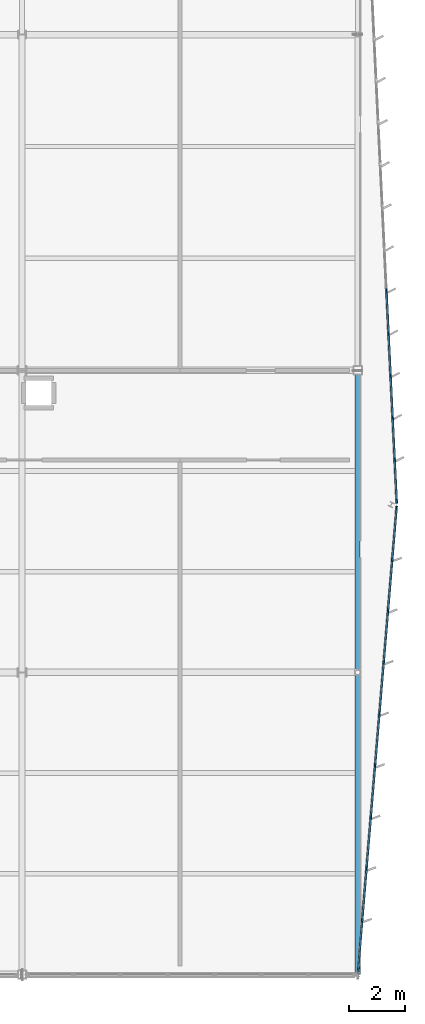
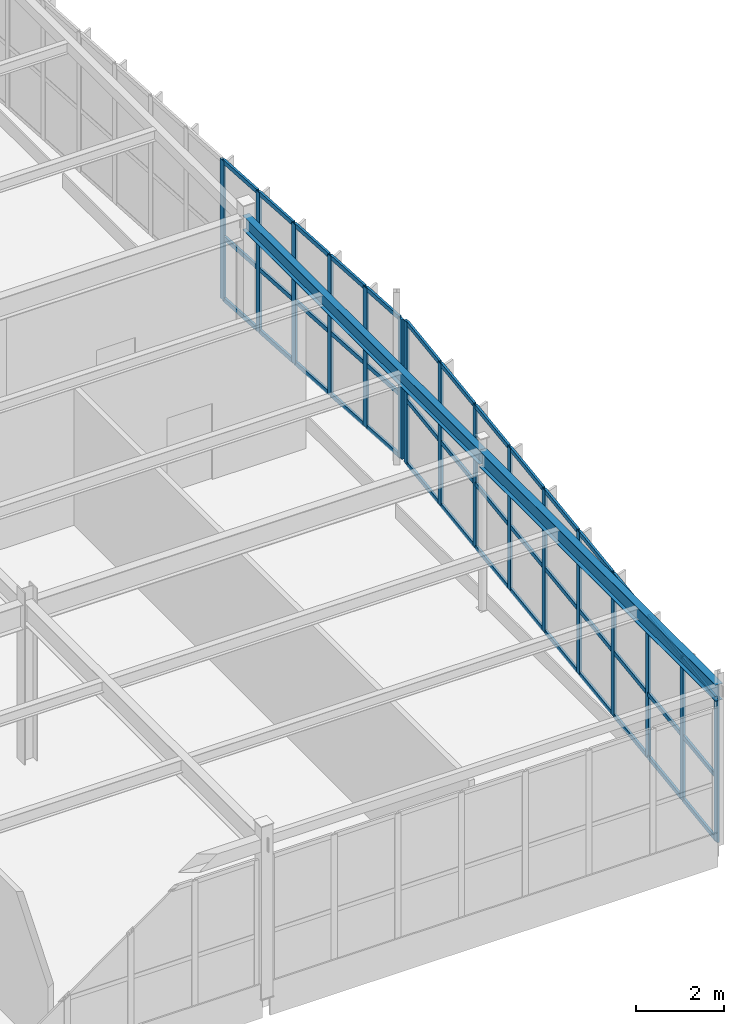
# One storey, part 97 of 186: 58 members, 2 beams, 2 elements without a shape of their own.
"""IFC4 building model written with IfcOpenShell, lengths in metres."""

from ifc_helpers import new_model, si_unit, direction, frame, origin, origin_2d, place, context, subcontext, project, spatial, rectangle, i_section, extrude, material, layer, layer_set, material_profile, profile_set, type_object, element, aggregate, save


model = new_model("IFC4")

# Units and contexts
model_context = context("Model", 3, precision=1e-05, world=origin(), true_north=direction((0.0, 1.0)))
body_context = subcontext(model_context, "Body", "Model", "MODEL_VIEW")
ifc_project = project(units=[si_unit("LENGTHUNIT", "METRE"), si_unit("AREAUNIT", "SQUARE_METRE"), si_unit("VOLUMEUNIT", "CUBIC_METRE"), si_unit("PLANEANGLEUNIT", "RADIAN"), si_unit("MASSUNIT", "GRAM", prefix="KILO")], contexts=[model_context])

# Site, building, storey
site_placement = place(None, origin())
site = spatial("IfcSite", under=ifc_project, at=site_placement, CompositionType="ELEMENT")
building_placement = place(site_placement, origin())
building = spatial("IfcBuilding", under=site, at=building_placement, Name="Tarnwether General Hospital", CompositionType="ELEMENT")
storey_placement = place(building_placement, frame((0.0, 0.0, 9.60009765625)))
storey = spatial("IfcBuildingStorey", under=building, at=storey_placement, Name="L02", CompositionType="ELEMENT", Elevation=9.60009765625)

# Beams
ifc_material_1 = material(Name="Steel Grade 350 (350 MPa)", Category="steel")
ifc_material_profile_1 = material_profile(ifc_material_1, i_section(OverallWidth=0.18994140625, OverallDepth=0.4541015625, WebThickness=0.008544921875, FlangeThickness=0.0126953125, at=origin_2d()), Name="460UB67.1")
ifc_profile_set_1 = profile_set([ifc_material_profile_1], Name="Steel Grade 350 (350 MPa)")
beam_type_1 = type_object("IfcBeamType", Name="BM-SP1", PredefinedType="SPANDREL", material=ifc_profile_set_1)
beam_1_placement = place(storey_placement, frame((192.0, 0.0, 4.212890625), z_axis=(0.0, 1.0, 0.0), x_axis=(-1.0, 0.0, 0.0)))
element("IfcBeam", 1, at=beam_1_placement, inside=storey, type_object=beam_type_1, Name="Primary Girder BMG-L02-19200_0-19200_1080-1640", PredefinedType="SPANDREL", context=body_context, shape_type="SweptSolid", body=[
    extrude(i_section(OverallWidth=0.18994140625, OverallDepth=0.4541015625, WebThickness=0.008544921875, FlangeThickness=0.0126953125, at=origin_2d()), origin(), (0.0, 0.0, 1.0), 10.800048828125),
])
ifc_material_2 = material(Name="Steel Grade 350 (350 MPa)", Category="steel")
ifc_material_profile_2 = material_profile(ifc_material_2, i_section(OverallWidth=0.177978515625, OverallDepth=0.403076171875, WebThickness=0.007568359375, FlangeThickness=0.010986328125, at=origin_2d()), Name="410UB53.7")
ifc_profile_set_2 = profile_set([ifc_material_profile_2], Name="Steel Grade 350 (350 MPa)")
beam_type_2 = type_object("IfcBeamType", Name="BM-SP2", PredefinedType="SPANDREL", material=ifc_profile_set_2)
beam_2_placement = place(storey_placement, frame((192.0, 10.800048828125, 4.23828125), z_axis=(0.0, 1.0, 0.0), x_axis=(-1.0, 0.0, 0.0)))
element("IfcBeam", 2, at=beam_2_placement, inside=storey, type_object=beam_type_2, Name="Primary Girder BMG-L02-19200_1080-19200_2160-1641", PredefinedType="SPANDREL", context=body_context, shape_type="SweptSolid", body=[
    extrude(i_section(OverallWidth=0.177978515625, OverallDepth=0.403076171875, WebThickness=0.007568359375, FlangeThickness=0.010986328125, at=origin_2d()), origin(), (0.0, 0.0, 1.0), 10.800048828125),
])

# Curtain wall, members
ifc_material_3 = material(Name="Anodised aluminium", Category="aluminium")
ifc_layer_1 = layer(ifc_material_3, 0.159912109375)
ifc_layer_set_1 = layer_set([ifc_layer_1], Name="Anodised aluminium")
curtain_wall_type_1 = type_object("IfcCurtainWallType", Name="CW-18", PredefinedType="NOTDEFINED", material=ifc_layer_set_1)
curtain_wall_1_placement = place(storey_placement, origin())
curtain_wall_1 = element("IfcCurtainWall", 3, at=curtain_wall_1_placement, inside=storey, type_object=curtain_wall_type_1, Name="Curtain Wall CWG-L02-1920_455-0460", PredefinedType="NOTDEFINED")
ifc_material_4 = material(Name="Anodised aluminium", Category="aluminium")
ifc_material_profile_3 = material_profile(ifc_material_4, rectangle(XDim=0.06005859375, YDim=0.159912109375, at=origin_2d()), Name="ALU-MUL-60x160")
ifc_profile_set_3 = profile_set([ifc_material_profile_3], Name="Anodised aluminium")
member_type_1 = type_object("IfcMemberType", Name="CW-ML1", PredefinedType="MULLION", material=ifc_profile_set_3)
member_1_placement = place(storey_placement, frame((193.029052734375, 24.43115234375, 0.0), z_axis=(0.0, 0.0, 1.0), x_axis=(0.998820252343, 0.048560307958, 0.0)))
member_1 = element("IfcMember", 4, at=member_1_placement, type_object=member_type_1, Name="CW-18 mullion 15", PredefinedType="MULLION", context=body_context, shape_type="SweptSolid", body=[
    extrude(rectangle(XDim=0.06005859375, YDim=0.159912109375, at=origin_2d()), origin(), (0.0, 0.0, 1.0), 3.891845703125),
])
member_2_placement = place(storey_placement, frame((193.10205078125, 22.92529296875, 0.0), z_axis=(0.0, 0.0, 1.0), x_axis=(0.998820252343, 0.048560307958, 0.0)))
member_2 = element("IfcMember", 5, at=member_2_placement, type_object=member_type_1, Name="CW-18 mullion 16", PredefinedType="MULLION", context=body_context, shape_type="SweptSolid", body=[
    extrude(rectangle(XDim=0.06005859375, YDim=0.159912109375, at=origin_2d()), origin(), (0.0, 0.0, 1.0), 3.891845703125),
])
member_3_placement = place(storey_placement, frame((193.17529296875, 21.41943359375, 0.0), z_axis=(0.0, 0.0, 1.0), x_axis=(0.998820252343, 0.048560307958, 0.0)))
member_3 = element("IfcMember", 6, at=member_3_placement, type_object=member_type_1, Name="CW-18 mullion 17", PredefinedType="MULLION", context=body_context, shape_type="SweptSolid", body=[
    extrude(rectangle(XDim=0.06005859375, YDim=0.159912109375, at=origin_2d()), origin(), (0.0, 0.0, 1.0), 3.891845703125),
])
member_4_placement = place(storey_placement, frame((193.24853515625, 19.91357421875, 0.0), z_axis=(0.0, 0.0, 1.0), x_axis=(0.998820252343, 0.048560307958, 0.0)))
member_4 = element("IfcMember", 7, at=member_4_placement, type_object=member_type_1, Name="CW-18 mullion 18", PredefinedType="MULLION", context=body_context, shape_type="SweptSolid", body=[
    extrude(rectangle(XDim=0.06005859375, YDim=0.159912109375, at=origin_2d()), origin(), (0.0, 0.0, 1.0), 3.891845703125),
])
member_5_placement = place(storey_placement, frame((193.32177734375, 18.407958984375, 0.0), z_axis=(0.0, 0.0, 1.0), x_axis=(0.998820252343, 0.048560307958, 0.0)))
member_5 = element("IfcMember", 8, at=member_5_placement, type_object=member_type_1, Name="CW-18 mullion 19", PredefinedType="MULLION", context=body_context, shape_type="SweptSolid", body=[
    extrude(rectangle(XDim=0.06005859375, YDim=0.159912109375, at=origin_2d()), origin(), (0.0, 0.0, 1.0), 3.891845703125),
])
member_6_placement = place(storey_placement, frame((193.3935546875, 16.931884765625, 0.0), z_axis=(0.0, 0.0, 1.0), x_axis=(0.998820252343, 0.048560307958, 0.0)))
member_6 = element("IfcMember", 9, at=member_6_placement, type_object=member_type_1, Name="CW-18 mullion 20", PredefinedType="MULLION", context=body_context, shape_type="SweptSolid", body=[
    extrude(rectangle(XDim=0.06005859375, YDim=0.159912109375, at=origin_2d()), origin(), (0.0, 0.0, 1.0), 3.891845703125),
])

ifc_material_5 = material(Name="Anodised aluminium", Category="aluminium")
ifc_layer_2 = layer(ifc_material_5, 0.159912109375)
ifc_layer_set_2 = layer_set([ifc_layer_2], Name="Anodised aluminium")
curtain_wall_type_2 = type_object("IfcCurtainWallType", Name="CW-19", PredefinedType="NOTDEFINED", material=ifc_layer_set_2)
curtain_wall_2_placement = place(storey_placement, origin())
curtain_wall_2 = element("IfcCurtainWall", 10, at=curtain_wall_2_placement, inside=storey, type_object=curtain_wall_type_2, Name="Curtain Wall CWG-L02-1934_167-0461", PredefinedType="NOTDEFINED")
member_7_placement = place(storey_placement, frame((193.388427734375, 16.6591796875, 0.0), z_axis=(0.0, 0.0, 1.0), x_axis=(0.996544929857, -0.083055419904, 0.0)))
member_7 = element("IfcMember", 11, at=member_7_placement, type_object=member_type_1, Name="CW-19 mullion 1", PredefinedType="MULLION", context=body_context, shape_type="SweptSolid", body=[
    extrude(rectangle(XDim=0.06005859375, YDim=0.159912109375, at=origin_2d()), origin(), (0.0, 0.0, 1.0), 3.970947265625),
])
member_8_placement = place(storey_placement, frame((193.2373046875, 14.84521484375, 0.0), z_axis=(0.0, 0.0, 1.0), x_axis=(0.996544929857, -0.083055419904, 0.0)))
member_8 = element("IfcMember", 12, at=member_8_placement, type_object=member_type_1, Name="CW-19 mullion 2", PredefinedType="MULLION", context=body_context, shape_type="SweptSolid", body=[
    extrude(rectangle(XDim=0.06005859375, YDim=0.159912109375, at=origin_2d()), origin(), (0.0, 0.0, 1.0), 3.970947265625),
])
member_9_placement = place(storey_placement, frame((193.083740234375, 13.00146484375, 0.0), z_axis=(0.0, 0.0, 1.0), x_axis=(0.996544929857, -0.083055419904, 0.0)))
member_9 = element("IfcMember", 13, at=member_9_placement, type_object=member_type_1, Name="CW-19 mullion 3", PredefinedType="MULLION", context=body_context, shape_type="SweptSolid", body=[
    extrude(rectangle(XDim=0.06005859375, YDim=0.159912109375, at=origin_2d()), origin(), (0.0, 0.0, 1.0), 3.970947265625),
])
member_10_placement = place(storey_placement, frame((192.929931640625, 11.15771484375, 0.0), z_axis=(0.0, 0.0, 1.0), x_axis=(0.996544929857, -0.083055419904, 0.0)))
member_10 = element("IfcMember", 14, at=member_10_placement, type_object=member_type_1, Name="CW-19 mullion 4", PredefinedType="MULLION", context=body_context, shape_type="SweptSolid", body=[
    extrude(rectangle(XDim=0.06005859375, YDim=0.159912109375, at=origin_2d()), origin(), (0.0, 0.0, 1.0), 3.970947265625),
])
member_11_placement = place(storey_placement, frame((192.7763671875, 9.31396484375, 0.0), z_axis=(0.0, 0.0, 1.0), x_axis=(0.996544929857, -0.083055419904, 0.0)))
member_11 = element("IfcMember", 15, at=member_11_placement, type_object=member_type_1, Name="CW-19 mullion 5", PredefinedType="MULLION", context=body_context, shape_type="SweptSolid", body=[
    extrude(rectangle(XDim=0.06005859375, YDim=0.159912109375, at=origin_2d()), origin(), (0.0, 0.0, 1.0), 3.970947265625),
])
member_12_placement = place(storey_placement, frame((192.62255859375, 7.47021484375, 0.0), z_axis=(0.0, 0.0, 1.0), x_axis=(0.996544929857, -0.083055419904, 0.0)))
member_12 = element("IfcMember", 16, at=member_12_placement, type_object=member_type_1, Name="CW-19 mullion 6", PredefinedType="MULLION", context=body_context, shape_type="SweptSolid", body=[
    extrude(rectangle(XDim=0.06005859375, YDim=0.159912109375, at=origin_2d()), origin(), (0.0, 0.0, 1.0), 3.970947265625),
])
member_13_placement = place(storey_placement, frame((192.468994140625, 5.626220703125, 0.0), z_axis=(0.0, 0.0, 1.0), x_axis=(0.996544929857, -0.083055419904, 0.0)))
member_13 = element("IfcMember", 17, at=member_13_placement, type_object=member_type_1, Name="CW-19 mullion 7", PredefinedType="MULLION", context=body_context, shape_type="SweptSolid", body=[
    extrude(rectangle(XDim=0.06005859375, YDim=0.159912109375, at=origin_2d()), origin(), (0.0, 0.0, 1.0), 3.970947265625),
])
member_14_placement = place(storey_placement, frame((192.3154296875, 3.782470703125, 0.0), z_axis=(0.0, 0.0, 1.0), x_axis=(0.996544929857, -0.083055419904, 0.0)))
member_14 = element("IfcMember", 18, at=member_14_placement, type_object=member_type_1, Name="CW-19 mullion 8", PredefinedType="MULLION", context=body_context, shape_type="SweptSolid", body=[
    extrude(rectangle(XDim=0.06005859375, YDim=0.159912109375, at=origin_2d()), origin(), (0.0, 0.0, 1.0), 3.970947265625),
])
member_15_placement = place(storey_placement, frame((192.16162109375, 1.938720703125, 0.0), z_axis=(0.0, 0.0, 1.0), x_axis=(0.996544929857, -0.083055419904, 0.0)))
member_15 = element("IfcMember", 19, at=member_15_placement, type_object=member_type_1, Name="CW-19 mullion 9", PredefinedType="MULLION", context=body_context, shape_type="SweptSolid", body=[
    extrude(rectangle(XDim=0.06005859375, YDim=0.159912109375, at=origin_2d()), origin(), (0.0, 0.0, 1.0), 3.970947265625),
])
member_16_placement = place(storey_placement, frame((192.010498046875, 0.125, 0.0), z_axis=(0.0, 0.0, 1.0), x_axis=(0.996544929857, -0.083055419904, 0.0)))
member_16 = element("IfcMember", 20, at=member_16_placement, type_object=member_type_1, Name="CW-19 mullion 10", PredefinedType="MULLION", context=body_context, shape_type="SweptSolid", body=[
    extrude(rectangle(XDim=0.06005859375, YDim=0.159912109375, at=origin_2d()), origin(), (0.0, 0.0, 1.0), 3.970947265625),
])

# Member
ifc_material_6 = material(Name="Anodised aluminium", Category="aluminium")
ifc_material_profile_4 = material_profile(ifc_material_6, rectangle(XDim=0.06005859375, YDim=0.1201171875, at=origin_2d()), Name="ALU-TRN-60x120")
ifc_profile_set_4 = profile_set([ifc_material_profile_4], Name="Anodised aluminium")
member_type_2 = type_object("IfcMemberType", Name="CW-TR1", PredefinedType="USERDEFINED", material=ifc_profile_set_4)
member_17_placement = place(storey_placement, frame((193.030517578125, 24.4013671875, 0.02978515625), z_axis=(0.048398390667, -0.998828111229, 0.0), x_axis=(0.998828111229, 0.048398390667, 0.0)))
member_17 = element("IfcMember", 21, at=member_17_placement, type_object=member_type_2, Name="CW-18 transom 15.1", ObjectType="TRANSOM", PredefinedType="USERDEFINED", context=body_context, shape_type="SweptSolid", body=[
    extrude(rectangle(XDim=0.06005859375, YDim=0.1201171875, at=origin_2d()), origin(), (0.0, 0.0, 1.0), 1.44775390625),
])

member_18_placement = place(storey_placement, frame((193.030517578125, 24.4013671875, 1.751220703125), z_axis=(0.048398390667, -0.998828111229, 0.0), x_axis=(0.998828111229, 0.048398390667, 0.0)))
member_18 = element("IfcMember", 22, at=member_18_placement, type_object=member_type_2, Name="CW-18 transom 15.2", ObjectType="TRANSOM", PredefinedType="USERDEFINED", context=body_context, shape_type="SweptSolid", body=[
    extrude(rectangle(XDim=0.06005859375, YDim=0.1201171875, at=origin_2d()), origin(), (0.0, 0.0, 1.0), 1.44775390625),
])

member_19_placement = place(storey_placement, frame((193.030517578125, 24.4013671875, 3.86181640625), z_axis=(0.048398390667, -0.998828111229, 0.0), x_axis=(0.998828111229, 0.048398390667, 0.0)))
member_19 = element("IfcMember", 23, at=member_19_placement, type_object=member_type_2, Name="CW-18 transom 15.3", ObjectType="TRANSOM", PredefinedType="USERDEFINED", context=body_context, shape_type="SweptSolid", body=[
    extrude(rectangle(XDim=0.06005859375, YDim=0.1201171875, at=origin_2d()), origin(), (0.0, 0.0, 1.0), 1.44775390625),
])

member_20_placement = place(storey_placement, frame((193.103515625, 22.8955078125, 0.02978515625), z_axis=(0.0485666291, -0.998819945004, 0.0), x_axis=(0.998819945004, 0.0485666291, 0.0)))
member_20 = element("IfcMember", 24, at=member_20_placement, type_object=member_type_2, Name="CW-18 transom 16.1", ObjectType="TRANSOM", PredefinedType="USERDEFINED", context=body_context, shape_type="SweptSolid", body=[
    extrude(rectangle(XDim=0.06005859375, YDim=0.1201171875, at=origin_2d()), origin(), (0.0, 0.0, 1.0), 1.44775390625),
])

member_21_placement = place(storey_placement, frame((193.103515625, 22.8955078125, 1.751220703125), z_axis=(0.0485666291, -0.998819945004, 0.0), x_axis=(0.998819945004, 0.0485666291, 0.0)))
member_21 = element("IfcMember", 25, at=member_21_placement, type_object=member_type_2, Name="CW-18 transom 16.2", ObjectType="TRANSOM", PredefinedType="USERDEFINED", context=body_context, shape_type="SweptSolid", body=[
    extrude(rectangle(XDim=0.06005859375, YDim=0.1201171875, at=origin_2d()), origin(), (0.0, 0.0, 1.0), 1.44775390625),
])

member_22_placement = place(storey_placement, frame((193.103515625, 22.8955078125, 3.86181640625), z_axis=(0.0485666291, -0.998819945004, 0.0), x_axis=(0.998819945004, 0.0485666291, 0.0)))
member_22 = element("IfcMember", 26, at=member_22_placement, type_object=member_type_2, Name="CW-18 transom 16.3", ObjectType="TRANSOM", PredefinedType="USERDEFINED", context=body_context, shape_type="SweptSolid", body=[
    extrude(rectangle(XDim=0.06005859375, YDim=0.1201171875, at=origin_2d()), origin(), (0.0, 0.0, 1.0), 1.44775390625),
])

member_23_placement = place(storey_placement, frame((193.1767578125, 21.3896484375, 0.02978515625), z_axis=(0.0485666291, -0.998819945004, 0.0), x_axis=(0.998819945004, 0.0485666291, 0.0)))
member_23 = element("IfcMember", 27, at=member_23_placement, type_object=member_type_2, Name="CW-18 transom 17.1", ObjectType="TRANSOM", PredefinedType="USERDEFINED", context=body_context, shape_type="SweptSolid", body=[
    extrude(rectangle(XDim=0.06005859375, YDim=0.1201171875, at=origin_2d()), origin(), (0.0, 0.0, 1.0), 1.44775390625),
])

member_24_placement = place(storey_placement, frame((193.1767578125, 21.3896484375, 1.751220703125), z_axis=(0.0485666291, -0.998819945004, 0.0), x_axis=(0.998819945004, 0.0485666291, 0.0)))
member_24 = element("IfcMember", 28, at=member_24_placement, type_object=member_type_2, Name="CW-18 transom 17.2", ObjectType="TRANSOM", PredefinedType="USERDEFINED", context=body_context, shape_type="SweptSolid", body=[
    extrude(rectangle(XDim=0.06005859375, YDim=0.1201171875, at=origin_2d()), origin(), (0.0, 0.0, 1.0), 1.44775390625),
])

member_25_placement = place(storey_placement, frame((193.1767578125, 21.3896484375, 3.86181640625), z_axis=(0.0485666291, -0.998819945004, 0.0), x_axis=(0.998819945004, 0.0485666291, 0.0)))
member_25 = element("IfcMember", 29, at=member_25_placement, type_object=member_type_2, Name="CW-18 transom 17.3", ObjectType="TRANSOM", PredefinedType="USERDEFINED", context=body_context, shape_type="SweptSolid", body=[
    extrude(rectangle(XDim=0.06005859375, YDim=0.1201171875, at=origin_2d()), origin(), (0.0, 0.0, 1.0), 1.44775390625),
])

member_26_placement = place(storey_placement, frame((193.25, 19.8837890625, 0.02978515625), z_axis=(0.0485666291, -0.998819945004, 0.0), x_axis=(0.998819945004, 0.0485666291, 0.0)))
member_26 = element("IfcMember", 30, at=member_26_placement, type_object=member_type_2, Name="CW-18 transom 18.1", ObjectType="TRANSOM", PredefinedType="USERDEFINED", context=body_context, shape_type="SweptSolid", body=[
    extrude(rectangle(XDim=0.06005859375, YDim=0.1201171875, at=origin_2d()), origin(), (0.0, 0.0, 1.0), 1.44775390625),
])

member_27_placement = place(storey_placement, frame((193.25, 19.8837890625, 1.751220703125), z_axis=(0.0485666291, -0.998819945004, 0.0), x_axis=(0.998819945004, 0.0485666291, 0.0)))
member_27 = element("IfcMember", 31, at=member_27_placement, type_object=member_type_2, Name="CW-18 transom 18.2", ObjectType="TRANSOM", PredefinedType="USERDEFINED", context=body_context, shape_type="SweptSolid", body=[
    extrude(rectangle(XDim=0.06005859375, YDim=0.1201171875, at=origin_2d()), origin(), (0.0, 0.0, 1.0), 1.44775390625),
])

member_28_placement = place(storey_placement, frame((193.25, 19.8837890625, 3.86181640625), z_axis=(0.0485666291, -0.998819945004, 0.0), x_axis=(0.998819945004, 0.0485666291, 0.0)))
member_28 = element("IfcMember", 32, at=member_28_placement, type_object=member_type_2, Name="CW-18 transom 18.3", ObjectType="TRANSOM", PredefinedType="USERDEFINED", context=body_context, shape_type="SweptSolid", body=[
    extrude(rectangle(XDim=0.06005859375, YDim=0.1201171875, at=origin_2d()), origin(), (0.0, 0.0, 1.0), 1.44775390625),
])

member_29_placement = place(storey_placement, frame((193.3232421875, 18.3779296875, 0.02978515625), z_axis=(0.048563322385, -0.998820105784, 0.0), x_axis=(0.998820105784, 0.048563322385, 0.0)))
member_29 = element("IfcMember", 33, at=member_29_placement, type_object=member_type_2, Name="CW-18 transom 19.1", ObjectType="TRANSOM", PredefinedType="USERDEFINED", context=body_context, shape_type="SweptSolid", body=[
    extrude(rectangle(XDim=0.06005859375, YDim=0.1201171875, at=origin_2d()), origin(), (0.0, 0.0, 1.0), 1.417724609375),
])

member_30_placement = place(storey_placement, frame((193.3232421875, 18.3779296875, 1.751220703125), z_axis=(0.048563322385, -0.998820105784, 0.0), x_axis=(0.998820105784, 0.048563322385, 0.0)))
member_30 = element("IfcMember", 34, at=member_30_placement, type_object=member_type_2, Name="CW-18 transom 19.2", ObjectType="TRANSOM", PredefinedType="USERDEFINED", context=body_context, shape_type="SweptSolid", body=[
    extrude(rectangle(XDim=0.06005859375, YDim=0.1201171875, at=origin_2d()), origin(), (0.0, 0.0, 1.0), 1.417724609375),
])

member_31_placement = place(storey_placement, frame((193.3232421875, 18.3779296875, 3.86181640625), z_axis=(0.048563322385, -0.998820105784, 0.0), x_axis=(0.998820105784, 0.048563322385, 0.0)))
member_31 = element("IfcMember", 35, at=member_31_placement, type_object=member_type_2, Name="CW-18 transom 19.3", ObjectType="TRANSOM", PredefinedType="USERDEFINED", context=body_context, shape_type="SweptSolid", body=[
    extrude(rectangle(XDim=0.06005859375, YDim=0.1201171875, at=origin_2d()), origin(), (0.0, 0.0, 1.0), 1.417724609375),
])

aggregate(curtain_wall_1, [member_1, member_2, member_3, member_4, member_5, member_6, member_17, member_18, member_19, member_20, member_21, member_22, member_23, member_24, member_25, member_26, member_27, member_28, member_29, member_30, member_31])

member_32_placement = place(storey_placement, frame((193.385986328125, 16.629150390625, 0.02978515625), z_axis=(-0.083079915092, -0.996542888043, 0.0), x_axis=(0.996542888043, -0.083079915092, 0.0)))
member_32 = element("IfcMember", 36, at=member_32_placement, type_object=member_type_2, Name="CW-19 transom 1.1", ObjectType="TRANSOM", PredefinedType="USERDEFINED", context=body_context, shape_type="SweptSolid", body=[
    extrude(rectangle(XDim=0.06005859375, YDim=0.1201171875, at=origin_2d()), origin(), (0.0, 0.0, 1.0), 1.76025390625),
])

member_33_placement = place(storey_placement, frame((193.385986328125, 16.629150390625, 1.786865234375), z_axis=(-0.083079915092, -0.996542888043, 0.0), x_axis=(0.996542888043, -0.083079915092, 0.0)))
member_33 = element("IfcMember", 37, at=member_33_placement, type_object=member_type_2, Name="CW-19 transom 1.2", ObjectType="TRANSOM", PredefinedType="USERDEFINED", context=body_context, shape_type="SweptSolid", body=[
    extrude(rectangle(XDim=0.06005859375, YDim=0.1201171875, at=origin_2d()), origin(), (0.0, 0.0, 1.0), 1.76025390625),
])

member_34_placement = place(storey_placement, frame((193.385986328125, 16.629150390625, 3.94091796875), z_axis=(-0.083079915092, -0.996542888043, 0.0), x_axis=(0.996542888043, -0.083079915092, 0.0)))
member_34 = element("IfcMember", 38, at=member_34_placement, type_object=member_type_2, Name="CW-19 transom 1.3", ObjectType="TRANSOM", PredefinedType="USERDEFINED", context=body_context, shape_type="SweptSolid", body=[
    extrude(rectangle(XDim=0.06005859375, YDim=0.1201171875, at=origin_2d()), origin(), (0.0, 0.0, 1.0), 1.76025390625),
])

member_35_placement = place(storey_placement, frame((193.23486328125, 14.8154296875, 0.02978515625), z_axis=(-0.083045479854, -0.996545758245, 0.0), x_axis=(0.996545758245, -0.083045479854, 0.0)))
member_35 = element("IfcMember", 39, at=member_35_placement, type_object=member_type_2, Name="CW-19 transom 2.1", ObjectType="TRANSOM", PredefinedType="USERDEFINED", context=body_context, shape_type="SweptSolid", body=[
    extrude(rectangle(XDim=0.06005859375, YDim=0.1201171875, at=origin_2d()), origin(), (0.0, 0.0, 1.0), 1.790283203125),
])

member_36_placement = place(storey_placement, frame((193.23486328125, 14.8154296875, 1.786865234375), z_axis=(-0.083045479854, -0.996545758245, 0.0), x_axis=(0.996545758245, -0.083045479854, 0.0)))
member_36 = element("IfcMember", 40, at=member_36_placement, type_object=member_type_2, Name="CW-19 transom 2.2", ObjectType="TRANSOM", PredefinedType="USERDEFINED", context=body_context, shape_type="SweptSolid", body=[
    extrude(rectangle(XDim=0.06005859375, YDim=0.1201171875, at=origin_2d()), origin(), (0.0, 0.0, 1.0), 1.790283203125),
])

member_37_placement = place(storey_placement, frame((193.23486328125, 14.8154296875, 3.94091796875), z_axis=(-0.083045479854, -0.996545758245, 0.0), x_axis=(0.996545758245, -0.083045479854, 0.0)))
member_37 = element("IfcMember", 41, at=member_37_placement, type_object=member_type_2, Name="CW-19 transom 2.3", ObjectType="TRANSOM", PredefinedType="USERDEFINED", context=body_context, shape_type="SweptSolid", body=[
    extrude(rectangle(XDim=0.06005859375, YDim=0.1201171875, at=origin_2d()), origin(), (0.0, 0.0, 1.0), 1.790283203125),
])

member_38_placement = place(storey_placement, frame((193.0810546875, 12.971435546875, 0.02978515625), z_axis=(-0.083056766652, -0.996544817614, 0.0), x_axis=(0.996544817614, -0.083056766652, 0.0)))
member_38 = element("IfcMember", 42, at=member_38_placement, type_object=member_type_2, Name="CW-19 transom 3.1", ObjectType="TRANSOM", PredefinedType="USERDEFINED", context=body_context, shape_type="SweptSolid", body=[
    extrude(rectangle(XDim=0.06005859375, YDim=0.1201171875, at=origin_2d()), origin(), (0.0, 0.0, 1.0), 1.7900390625),
])

member_39_placement = place(storey_placement, frame((193.0810546875, 12.971435546875, 1.786865234375), z_axis=(-0.083056766652, -0.996544817614, 0.0), x_axis=(0.996544817614, -0.083056766652, 0.0)))
member_39 = element("IfcMember", 43, at=member_39_placement, type_object=member_type_2, Name="CW-19 transom 3.2", ObjectType="TRANSOM", PredefinedType="USERDEFINED", context=body_context, shape_type="SweptSolid", body=[
    extrude(rectangle(XDim=0.06005859375, YDim=0.1201171875, at=origin_2d()), origin(), (0.0, 0.0, 1.0), 1.7900390625),
])

member_40_placement = place(storey_placement, frame((193.0810546875, 12.971435546875, 3.94091796875), z_axis=(-0.083056766652, -0.996544817614, 0.0), x_axis=(0.996544817614, -0.083056766652, 0.0)))
member_40 = element("IfcMember", 44, at=member_40_placement, type_object=member_type_2, Name="CW-19 transom 3.3", ObjectType="TRANSOM", PredefinedType="USERDEFINED", context=body_context, shape_type="SweptSolid", body=[
    extrude(rectangle(XDim=0.06005859375, YDim=0.1201171875, at=origin_2d()), origin(), (0.0, 0.0, 1.0), 1.7900390625),
])

member_41_placement = place(storey_placement, frame((192.927490234375, 11.127685546875, 0.02978515625), z_axis=(-0.083056766652, -0.996544817614, 0.0), x_axis=(0.996544817614, -0.083056766652, 0.0)))
member_41 = element("IfcMember", 45, at=member_41_placement, type_object=member_type_2, Name="CW-19 transom 4.1", ObjectType="TRANSOM", PredefinedType="USERDEFINED", context=body_context, shape_type="SweptSolid", body=[
    extrude(rectangle(XDim=0.06005859375, YDim=0.1201171875, at=origin_2d()), origin(), (0.0, 0.0, 1.0), 1.7900390625),
])

member_42_placement = place(storey_placement, frame((192.927490234375, 11.127685546875, 1.786865234375), z_axis=(-0.083056766652, -0.996544817614, 0.0), x_axis=(0.996544817614, -0.083056766652, 0.0)))
member_42 = element("IfcMember", 46, at=member_42_placement, type_object=member_type_2, Name="CW-19 transom 4.2", ObjectType="TRANSOM", PredefinedType="USERDEFINED", context=body_context, shape_type="SweptSolid", body=[
    extrude(rectangle(XDim=0.06005859375, YDim=0.1201171875, at=origin_2d()), origin(), (0.0, 0.0, 1.0), 1.7900390625),
])

member_43_placement = place(storey_placement, frame((192.927490234375, 11.127685546875, 3.94091796875), z_axis=(-0.083056766652, -0.996544817614, 0.0), x_axis=(0.996544817614, -0.083056766652, 0.0)))
member_43 = element("IfcMember", 47, at=member_43_placement, type_object=member_type_2, Name="CW-19 transom 4.3", ObjectType="TRANSOM", PredefinedType="USERDEFINED", context=body_context, shape_type="SweptSolid", body=[
    extrude(rectangle(XDim=0.06005859375, YDim=0.1201171875, at=origin_2d()), origin(), (0.0, 0.0, 1.0), 1.7900390625),
])

member_44_placement = place(storey_placement, frame((192.77392578125, 9.283935546875, 0.02978515625), z_axis=(-0.083056766652, -0.996544817614, 0.0), x_axis=(0.996544817614, -0.083056766652, 0.0)))
member_44 = element("IfcMember", 48, at=member_44_placement, type_object=member_type_2, Name="CW-19 transom 5.1", ObjectType="TRANSOM", PredefinedType="USERDEFINED", context=body_context, shape_type="SweptSolid", body=[
    extrude(rectangle(XDim=0.06005859375, YDim=0.1201171875, at=origin_2d()), origin(), (0.0, 0.0, 1.0), 1.7900390625),
])

member_45_placement = place(storey_placement, frame((192.77392578125, 9.283935546875, 1.786865234375), z_axis=(-0.083056766652, -0.996544817614, 0.0), x_axis=(0.996544817614, -0.083056766652, 0.0)))
member_45 = element("IfcMember", 49, at=member_45_placement, type_object=member_type_2, Name="CW-19 transom 5.2", ObjectType="TRANSOM", PredefinedType="USERDEFINED", context=body_context, shape_type="SweptSolid", body=[
    extrude(rectangle(XDim=0.06005859375, YDim=0.1201171875, at=origin_2d()), origin(), (0.0, 0.0, 1.0), 1.7900390625),
])

member_46_placement = place(storey_placement, frame((192.77392578125, 9.283935546875, 3.94091796875), z_axis=(-0.083056766652, -0.996544817614, 0.0), x_axis=(0.996544817614, -0.083056766652, 0.0)))
member_46 = element("IfcMember", 50, at=member_46_placement, type_object=member_type_2, Name="CW-19 transom 5.3", ObjectType="TRANSOM", PredefinedType="USERDEFINED", context=body_context, shape_type="SweptSolid", body=[
    extrude(rectangle(XDim=0.06005859375, YDim=0.1201171875, at=origin_2d()), origin(), (0.0, 0.0, 1.0), 1.7900390625),
])

member_47_placement = place(storey_placement, frame((192.6201171875, 7.440185546875, 0.02978515625), z_axis=(-0.083056766652, -0.996544817614, 0.0), x_axis=(0.996544817614, -0.083056766652, 0.0)))
member_47 = element("IfcMember", 51, at=member_47_placement, type_object=member_type_2, Name="CW-19 transom 6.1", ObjectType="TRANSOM", PredefinedType="USERDEFINED", context=body_context, shape_type="SweptSolid", body=[
    extrude(rectangle(XDim=0.06005859375, YDim=0.1201171875, at=origin_2d()), origin(), (0.0, 0.0, 1.0), 1.7900390625),
])

member_48_placement = place(storey_placement, frame((192.6201171875, 7.440185546875, 1.786865234375), z_axis=(-0.083056766652, -0.996544817614, 0.0), x_axis=(0.996544817614, -0.083056766652, 0.0)))
member_48 = element("IfcMember", 52, at=member_48_placement, type_object=member_type_2, Name="CW-19 transom 6.2", ObjectType="TRANSOM", PredefinedType="USERDEFINED", context=body_context, shape_type="SweptSolid", body=[
    extrude(rectangle(XDim=0.06005859375, YDim=0.1201171875, at=origin_2d()), origin(), (0.0, 0.0, 1.0), 1.7900390625),
])

member_49_placement = place(storey_placement, frame((192.6201171875, 7.440185546875, 3.94091796875), z_axis=(-0.083056766652, -0.996544817614, 0.0), x_axis=(0.996544817614, -0.083056766652, 0.0)))
member_49 = element("IfcMember", 53, at=member_49_placement, type_object=member_type_2, Name="CW-19 transom 6.3", ObjectType="TRANSOM", PredefinedType="USERDEFINED", context=body_context, shape_type="SweptSolid", body=[
    extrude(rectangle(XDim=0.06005859375, YDim=0.1201171875, at=origin_2d()), origin(), (0.0, 0.0, 1.0), 1.7900390625),
])

member_50_placement = place(storey_placement, frame((192.466552734375, 5.596435546875, 0.02978515625), z_axis=(-0.083056766652, -0.996544817614, 0.0), x_axis=(0.996544817614, -0.083056766652, 0.0)))
member_50 = element("IfcMember", 54, at=member_50_placement, type_object=member_type_2, Name="CW-19 transom 7.1", ObjectType="TRANSOM", PredefinedType="USERDEFINED", context=body_context, shape_type="SweptSolid", body=[
    extrude(rectangle(XDim=0.06005859375, YDim=0.1201171875, at=origin_2d()), origin(), (0.0, 0.0, 1.0), 1.7900390625),
])

member_51_placement = place(storey_placement, frame((192.466552734375, 5.596435546875, 1.786865234375), z_axis=(-0.083056766652, -0.996544817614, 0.0), x_axis=(0.996544817614, -0.083056766652, 0.0)))
member_51 = element("IfcMember", 55, at=member_51_placement, type_object=member_type_2, Name="CW-19 transom 7.2", ObjectType="TRANSOM", PredefinedType="USERDEFINED", context=body_context, shape_type="SweptSolid", body=[
    extrude(rectangle(XDim=0.06005859375, YDim=0.1201171875, at=origin_2d()), origin(), (0.0, 0.0, 1.0), 1.7900390625),
])

member_52_placement = place(storey_placement, frame((192.466552734375, 5.596435546875, 3.94091796875), z_axis=(-0.083056766652, -0.996544817614, 0.0), x_axis=(0.996544817614, -0.083056766652, 0.0)))
member_52 = element("IfcMember", 56, at=member_52_placement, type_object=member_type_2, Name="CW-19 transom 7.3", ObjectType="TRANSOM", PredefinedType="USERDEFINED", context=body_context, shape_type="SweptSolid", body=[
    extrude(rectangle(XDim=0.06005859375, YDim=0.1201171875, at=origin_2d()), origin(), (0.0, 0.0, 1.0), 1.7900390625),
])

member_53_placement = place(storey_placement, frame((192.312744140625, 3.752685546875, 0.02978515625), z_axis=(-0.083056766652, -0.996544817614, 0.0), x_axis=(0.996544817614, -0.083056766652, 0.0)))
member_53 = element("IfcMember", 57, at=member_53_placement, type_object=member_type_2, Name="CW-19 transom 8.1", ObjectType="TRANSOM", PredefinedType="USERDEFINED", context=body_context, shape_type="SweptSolid", body=[
    extrude(rectangle(XDim=0.06005859375, YDim=0.1201171875, at=origin_2d()), origin(), (0.0, 0.0, 1.0), 1.7900390625),
])

member_54_placement = place(storey_placement, frame((192.312744140625, 3.752685546875, 1.786865234375), z_axis=(-0.083056766652, -0.996544817614, 0.0), x_axis=(0.996544817614, -0.083056766652, 0.0)))
member_54 = element("IfcMember", 58, at=member_54_placement, type_object=member_type_2, Name="CW-19 transom 8.2", ObjectType="TRANSOM", PredefinedType="USERDEFINED", context=body_context, shape_type="SweptSolid", body=[
    extrude(rectangle(XDim=0.06005859375, YDim=0.1201171875, at=origin_2d()), origin(), (0.0, 0.0, 1.0), 1.7900390625),
])

member_55_placement = place(storey_placement, frame((192.312744140625, 3.752685546875, 3.94091796875), z_axis=(-0.083056766652, -0.996544817614, 0.0), x_axis=(0.996544817614, -0.083056766652, 0.0)))
member_55 = element("IfcMember", 59, at=member_55_placement, type_object=member_type_2, Name="CW-19 transom 8.3", ObjectType="TRANSOM", PredefinedType="USERDEFINED", context=body_context, shape_type="SweptSolid", body=[
    extrude(rectangle(XDim=0.06005859375, YDim=0.1201171875, at=origin_2d()), origin(), (0.0, 0.0, 1.0), 1.7900390625),
])

member_56_placement = place(storey_placement, frame((192.1591796875, 1.908935546875, 0.02978515625), z_axis=(-0.083079915092, -0.996542888043, 0.0), x_axis=(0.996542888043, -0.083079915092, 0.0)))
member_56 = element("IfcMember", 60, at=member_56_placement, type_object=member_type_2, Name="CW-19 transom 9.1", ObjectType="TRANSOM", PredefinedType="USERDEFINED", context=body_context, shape_type="SweptSolid", body=[
    extrude(rectangle(XDim=0.06005859375, YDim=0.1201171875, at=origin_2d()), origin(), (0.0, 0.0, 1.0), 1.76025390625),
])

member_57_placement = place(storey_placement, frame((192.1591796875, 1.908935546875, 1.786865234375), z_axis=(-0.083079915092, -0.996542888043, 0.0), x_axis=(0.996542888043, -0.083079915092, 0.0)))
member_57 = element("IfcMember", 61, at=member_57_placement, type_object=member_type_2, Name="CW-19 transom 9.2", ObjectType="TRANSOM", PredefinedType="USERDEFINED", context=body_context, shape_type="SweptSolid", body=[
    extrude(rectangle(XDim=0.06005859375, YDim=0.1201171875, at=origin_2d()), origin(), (0.0, 0.0, 1.0), 1.76025390625),
])

member_58_placement = place(storey_placement, frame((192.1591796875, 1.908935546875, 3.94091796875), z_axis=(-0.083079915092, -0.996542888043, 0.0), x_axis=(0.996542888043, -0.083079915092, 0.0)))
member_58 = element("IfcMember", 62, at=member_58_placement, type_object=member_type_2, Name="CW-19 transom 9.3", ObjectType="TRANSOM", PredefinedType="USERDEFINED", context=body_context, shape_type="SweptSolid", body=[
    extrude(rectangle(XDim=0.06005859375, YDim=0.1201171875, at=origin_2d()), origin(), (0.0, 0.0, 1.0), 1.76025390625),
])

aggregate(curtain_wall_2, [member_7, member_8, member_9, member_10, member_11, member_12, member_13, member_14, member_15, member_16, member_32, member_33, member_34, member_35, member_36, member_37, member_38, member_39, member_40, member_41, member_42, member_43, member_44, member_45, member_46, member_47, member_48, member_49, member_50, member_51, member_52, member_53, member_54, member_55, member_56, member_57, member_58])

save(model, "model.ifc")
